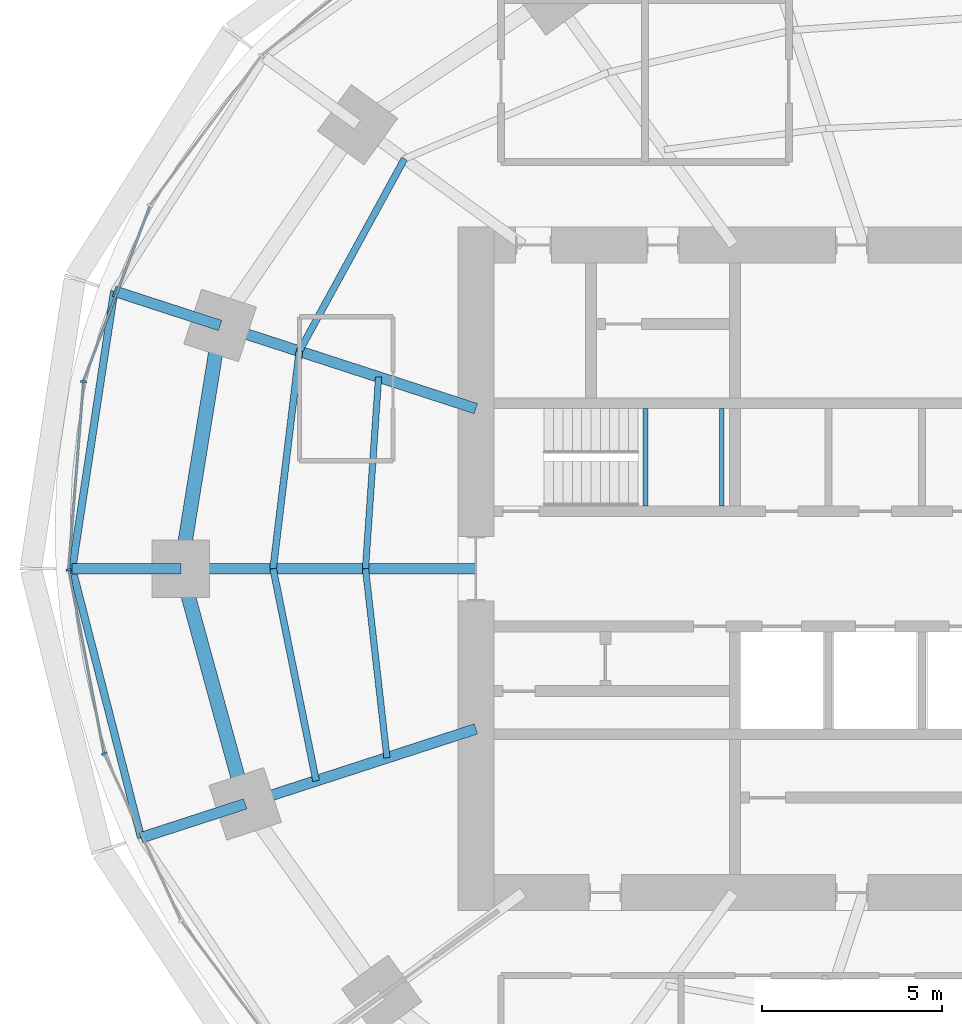
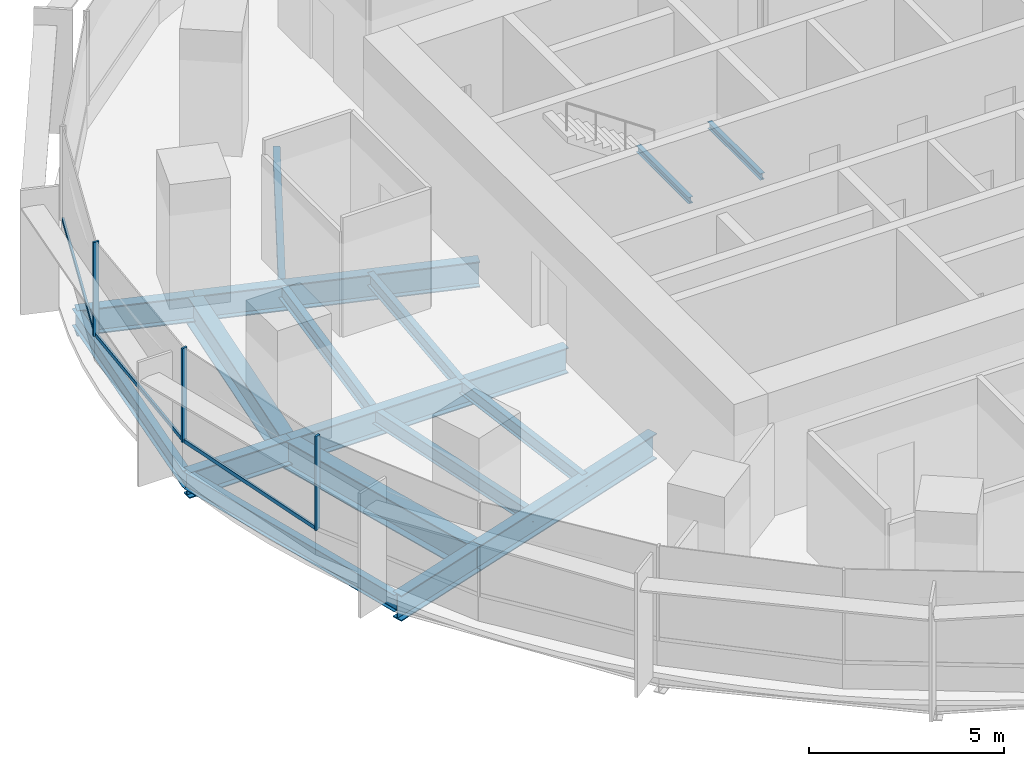
# One storey, part 4 of 14: 17 beams, 6 members, 2 elements without a shape of their own.
"""IFC4 building model written with IfcOpenShell, lengths in metres."""

from ifc_helpers import new_model, si_unit, direction, frame, origin, origin_2d, place, context, subcontext, project, spatial, rectangle, i_section, extrude, material, material_profile, profile_set, type_object, element, aggregate, save


model = new_model("IFC4")

# Units and contexts
model_context = context("Model", 3, precision=1e-05, world=origin(), true_north=direction((0.0, 1.0)))
body_context = subcontext(model_context, "Body", "Model", "MODEL_VIEW")
ifc_project = project(units=[si_unit("LENGTHUNIT", "METRE"), si_unit("AREAUNIT", "SQUARE_METRE"), si_unit("VOLUMEUNIT", "CUBIC_METRE"), si_unit("PLANEANGLEUNIT", "RADIAN"), si_unit("MASSUNIT", "GRAM", prefix="KILO")], contexts=[model_context])

# Site, building, storey
site_placement = place(None, origin())
site = spatial("IfcSite", under=ifc_project, at=site_placement, CompositionType="ELEMENT")
building_placement = place(site_placement, origin())
building = spatial("IfcBuilding", under=site, at=building_placement, Name="Marramba Exchange Tower", CompositionType="ELEMENT")
storey_placement = place(building_placement, frame((0.0, 0.0, 143.10009765625)))
storey = spatial("IfcBuildingStorey", under=building, at=storey_placement, Name="L34", CompositionType="ELEMENT", Elevation=143.10009765625)

# Beams
ifc_material_1 = material(Name="Steel AS/NZS 3679.2 grade 300", Category="steel")
ifc_material_profile_1 = material_profile(ifc_material_1, i_section(OverallWidth=0.300048828125, OverallDepth=0.800048828125, WebThickness=0.013916015625, FlangeThickness=0.031982421875, at=origin_2d()), Name="800WB192")
ifc_profile_set_1 = profile_set([ifc_material_profile_1], Name="Steel AS/NZS 3679.2 grade 300")
beam_type_1 = type_object("IfcBeamType", Name="Cantilever girder 800WB192", PredefinedType="BEAM", material=ifc_profile_set_1)
beam_1_placement = place(storey_placement, frame((-20.808349609375, 6.760986328125, -0.56005859375), z_axis=(-0.95104799017, 0.309043233858, 0.0), x_axis=(-0.309043233858, -0.95104799017, 0.0)))
element("IfcBeam", 1, at=beam_1_placement, inside=storey, type_object=beam_type_1, Name="Cantilever girder L34 TC10", PredefinedType="BEAM", context=body_context, shape_type="SweptSolid", body=[
    extrude(i_section(OverallWidth=0.300048828125, OverallDepth=0.800048828125, WebThickness=0.013916015625, FlangeThickness=0.031982421875, at=origin_2d()), origin(), (0.0, 0.0, 1.0), 3.0927734375),
])
beam_2_placement = place(storey_placement, frame((-21.89990234375, 0.0, -0.56005859375), z_axis=(-1.0, 0.0, 0.0), x_axis=(0.0, -1.0, 0.0)))
element("IfcBeam", 2, at=beam_2_placement, inside=storey, type_object=beam_type_1, Name="Cantilever girder L34 TC11", PredefinedType="BEAM", context=body_context, shape_type="SweptSolid", body=[
    extrude(i_section(OverallWidth=0.300048828125, OverallDepth=0.800048828125, WebThickness=0.013916015625, FlangeThickness=0.031982421875, at=origin_2d()), origin(), (0.0, 0.0, 1.0), 3.01806640625),
])
beam_3_placement = place(storey_placement, frame((-20.109375, -6.533935546875, -0.56005859375), z_axis=(-0.951070617775, -0.308973591113, 0.0), x_axis=(0.308973591113, -0.951070617775, 0.0)))
element("IfcBeam", 3, at=beam_3_placement, inside=storey, type_object=beam_type_1, Name="Cantilever girder L34 TC12", PredefinedType="BEAM", context=body_context, shape_type="SweptSolid", body=[
    extrude(i_section(OverallWidth=0.300048828125, OverallDepth=0.800048828125, WebThickness=0.013916015625, FlangeThickness=0.031982421875, at=origin_2d()), origin(), (0.0, 0.0, 1.0), 3.04296875),
])
ifc_material_2 = material(Name="Steel AS/NZS 3679.1 grade 300", Category="steel")
ifc_material_profile_2 = material_profile(ifc_material_2, i_section(OverallWidth=0.177978515625, OverallDepth=0.406005859375, WebThickness=0.0078125, FlangeThickness=0.0126953125, FilletRadius=0.011474609375, at=origin_2d()), Name="410UB59.7")
ifc_profile_set_2 = profile_set([ifc_material_profile_2], Name="Steel AS/NZS 3679.1 grade 300")
beam_type_2 = type_object("IfcBeamType", Name="Floor joist 410UB59.7", PredefinedType="JOIST", material=ifc_profile_set_2)
beam_4_placement = place(storey_placement, frame((-16.40283203125, 5.32958984375, -0.363037109375), z_axis=(-0.068096259546, -0.99767875563, 0.0), x_axis=(0.99767875563, -0.068096259546, 0.0)))
element("IfcBeam", 4, at=beam_4_placement, inside=storey, type_object=beam_type_2, Name="Joist L34 bay 10 row 1", PredefinedType="JOIST", context=body_context, shape_type="SweptSolid", body=[
    extrude(i_section(OverallWidth=0.177978515625, OverallDepth=0.406005859375, WebThickness=0.0078125, FlangeThickness=0.0126953125, FilletRadius=0.011474609375, at=origin_2d()), origin(), (0.0, 0.0, 1.0), 5.342041015625),
])
beam_5_placement = place(storey_placement, frame((-16.7666015625, 0.0, -0.363037109375), z_axis=(0.112888968594, -0.993607609054, 0.0), x_axis=(0.993607609054, 0.112888968594, 0.0)))
element("IfcBeam", 5, at=beam_5_placement, inside=storey, type_object=beam_type_2, Name="Joist L34 bay 11 row 1", PredefinedType="JOIST", context=body_context, shape_type="SweptSolid", body=[
    extrude(i_section(OverallWidth=0.177978515625, OverallDepth=0.406005859375, WebThickness=0.0078125, FlangeThickness=0.0126953125, FilletRadius=0.011474609375, at=origin_2d()), origin(), (0.0, 0.0, 1.0), 5.28759765625),
])
ifc_material_profile_3 = material_profile(ifc_material_2, i_section(OverallWidth=0.18994140625, OverallDepth=0.4541015625, WebThickness=0.008544921875, FlangeThickness=0.0126953125, FilletRadius=0.011474609375, at=origin_2d()), Name="460UB67.1")
ifc_profile_set_3 = profile_set([ifc_material_profile_3], Name="Steel AS/NZS 3679.1 grade 300")
beam_type_3 = type_object("IfcBeamType", Name="Floor joist 460UB67.1", PredefinedType="JOIST", material=ifc_profile_set_3)
beam_6_placement = place(storey_placement, frame((-15.682373046875, 11.393798828125, -0.38720703125), z_axis=(-0.479584443791, -0.877495732909, 0.0), x_axis=(0.877495732909, -0.479584443791, 0.0)))
element("IfcBeam", 6, at=beam_6_placement, inside=storey, type_object=beam_type_3, Name="Joist L34 bay 09 row 2", PredefinedType="JOIST", context=body_context, shape_type="SweptSolid", body=[
    extrude(i_section(OverallWidth=0.18994140625, OverallDepth=0.4541015625, WebThickness=0.008544921875, FlangeThickness=0.0126953125, FilletRadius=0.011474609375, at=origin_2d()), origin(), (0.0, 0.0, 1.0), 6.094970703125),
])
beam_7_placement = place(storey_placement, frame((-18.60546875, 6.04541015625, -0.38720703125), z_axis=(-0.119523078538, -0.992831422597, 0.0), x_axis=(0.992831422597, -0.119523078538, 0.0)))
element("IfcBeam", 7, at=beam_7_placement, inside=storey, type_object=beam_type_3, Name="Joist L34 bay 10 row 2", PredefinedType="JOIST", context=body_context, shape_type="SweptSolid", body=[
    extrude(i_section(OverallWidth=0.18994140625, OverallDepth=0.4541015625, WebThickness=0.008544921875, FlangeThickness=0.0126953125, FilletRadius=0.011474609375, at=origin_2d()), origin(), (0.0, 0.0, 1.0), 6.089111328125),
])
beam_8_placement = place(storey_placement, frame((-19.333251953125, 0.0, -0.38720703125), z_axis=(0.198489047047, -0.980103105904, 0.0), x_axis=(0.980103105904, 0.198489047047, 0.0)))
element("IfcBeam", 8, at=beam_8_placement, inside=storey, type_object=beam_type_3, Name="Joist L34 bay 11 row 2", PredefinedType="JOIST", context=body_context, shape_type="SweptSolid", body=[
    extrude(i_section(OverallWidth=0.18994140625, OverallDepth=0.4541015625, WebThickness=0.008544921875, FlangeThickness=0.0126953125, FilletRadius=0.011474609375, at=origin_2d()), origin(), (0.0, 0.0, 1.0), 6.013427734375),
])

# Curtain wall, member
ifc_material_3 = material(Name="Aluminium framing, bronze anodised", Category="aluminium")
curtain_wall_type = type_object("IfcCurtainWallType", Name="Office ribbon curtain wall", PredefinedType="USERDEFINED", material=ifc_material_3)
curtain_wall_1_placement = place(storey_placement, origin())
curtain_wall_1 = element("IfcCurtainWall", 9, at=curtain_wall_1_placement, inside=storey, type_object=curtain_wall_type, Name="Curtain wall CW4 L34 F11-F15", ObjectType="RIBBON CURTAIN WALL", PredefinedType="USERDEFINED")
ifc_material_4 = material(Name="Aluminium mullion, bronze anodised", Category="aluminium")
ifc_material_profile_4 = material_profile(ifc_material_4, rectangle(XDim=0.159912109375, YDim=0.06005859375, at=origin_2d()), Name="CW4 mullion 60x160")
ifc_profile_set_4 = profile_set([ifc_material_profile_4], Name="Aluminium mullion, bronze anodised")
member_type_1 = type_object("IfcMemberType", Name="Office ribbon curtain wall mullion", PredefinedType="MULLION", material=ifc_profile_set_4)
member_1_placement = place(storey_placement, frame((-24.603515625, 5.19921875, 0.7998046875), z_axis=(0.0, 0.0, 1.0), x_axis=(0.996838079455, -0.079459696383, 0.0)))
member_1 = element("IfcMember", 10, at=member_1_placement, type_object=member_type_1, Name="CW4 mullion 1", PredefinedType="MULLION", context=body_context, shape_type="SweptSolid", body=[
    extrude(rectangle(XDim=0.159912109375, YDim=0.06005859375, at=origin_2d()), origin(), (0.0, 0.0, 1.0), 2.940185546875),
])

# Curtain wall, members
curtain_wall_2_placement = place(storey_placement, origin())
curtain_wall_2 = element("IfcCurtainWall", 11, at=curtain_wall_2_placement, inside=storey, type_object=curtain_wall_type, Name="Curtain wall CW4 L34 F16-F20", ObjectType="RIBBON CURTAIN WALL", PredefinedType="USERDEFINED")
member_2_placement = place(storey_placement, frame((-25.012451171875, -0.029541015625, 0.7998046875), z_axis=(0.0, 0.0, 1.0), x_axis=(0.982125509078, 0.18822721487, 0.0)))
member_2 = element("IfcMember", 12, at=member_2_placement, type_object=member_type_1, Name="CW4 mullion 1", PredefinedType="MULLION", context=body_context, shape_type="SweptSolid", body=[
    extrude(rectangle(XDim=0.159912109375, YDim=0.06005859375, at=origin_2d()), origin(), (0.0, 0.0, 1.0), 2.940185546875),
])
member_3_placement = place(storey_placement, frame((-24.026123046875, -5.136962890625, 0.7998046875), z_axis=(0.0, 0.0, 1.0), x_axis=(0.909026713177, 0.416737848929, 0.0)))
member_3 = element("IfcMember", 13, at=member_3_placement, type_object=member_type_1, Name="CW4 mullion 1", PredefinedType="MULLION", context=body_context, shape_type="SweptSolid", body=[
    extrude(rectangle(XDim=0.159912109375, YDim=0.06005859375, at=origin_2d()), origin(), (0.0, 0.0, 1.0), 2.940185546875),
])

# Member
ifc_material_5 = material(Name="Aluminium transom, bronze anodised", Category="aluminium")
ifc_material_profile_5 = material_profile(ifc_material_5, rectangle(XDim=0.06005859375, YDim=0.1201171875, at=origin_2d()), Name="CW4 transom 60x120")
ifc_profile_set_5 = profile_set([ifc_material_profile_5], Name="Aluminium transom, bronze anodised")
member_type_2 = type_object("IfcMemberType", Name="Office ribbon curtain wall transom", PredefinedType="USERDEFINED", material=ifc_profile_set_5)
member_4_placement = place(storey_placement, frame((-22.763916015625, 10.069580078125, 0.829833984375), z_axis=(-0.354851822252, -0.934922555212, 0.0), x_axis=(0.934922555212, -0.354851822252, 0.0)))
member_4 = element("IfcMember", 14, at=member_4_placement, type_object=member_type_2, Name="CW4 sill transom", ObjectType="TRANSOM", PredefinedType="USERDEFINED", context=body_context, shape_type="SweptSolid", body=[
    extrude(rectangle(XDim=0.06005859375, YDim=0.1201171875, at=origin_2d()), origin(), (0.0, 0.0, 1.0), 5.17724609375),
])

member_5_placement = place(storey_placement, frame((-24.60595703125, 5.16943359375, 0.829833984375), z_axis=(-0.07946828762, -0.996837394595, 0.0), x_axis=(0.996837394595, -0.07946828762, 0.0)))
member_5 = element("IfcMember", 15, at=member_5_placement, type_object=member_type_2, Name="CW4 sill transom", ObjectType="TRANSOM", PredefinedType="USERDEFINED", context=body_context, shape_type="SweptSolid", body=[
    extrude(rectangle(XDim=0.06005859375, YDim=0.1201171875, at=origin_2d()), origin(), (0.0, 0.0, 1.0), 5.185791015625),
])

aggregate(curtain_wall_1, [member_4, member_1, member_5])

member_6_placement = place(storey_placement, frame((-25.006591796875, -0.058837890625, 0.829833984375), z_axis=(0.188185293992, -0.982133542409, 0.0), x_axis=(0.982133542409, 0.188185293992, 0.0)))
member_6 = element("IfcMember", 16, at=member_6_placement, type_object=member_type_2, Name="CW4 sill transom", ObjectType="TRANSOM", PredefinedType="USERDEFINED", context=body_context, shape_type="SweptSolid", body=[
    extrude(rectangle(XDim=0.06005859375, YDim=0.1201171875, at=origin_2d()), origin(), (0.0, 0.0, 1.0), 5.142578125),
])

aggregate(curtain_wall_2, [member_2, member_6, member_3])

# Beams
ifc_material_profile_6 = material_profile(ifc_material_1, i_section(OverallWidth=0.300048828125, OverallDepth=0.800048828125, WebThickness=0.013916015625, FlangeThickness=0.031982421875, at=origin_2d()), Name="800WB192")
ifc_profile_set_6 = profile_set([ifc_material_profile_6], Name="Steel AS/NZS 3679.2 grade 300")
beam_type_4 = type_object("IfcBeamType", Name="Radial girder 800WB192", PredefinedType="BEAM", material=ifc_profile_set_6)
beam_9_placement = place(storey_placement, frame((-13.699951171875, 4.451416015625, -0.56005859375), z_axis=(-0.951059990189, 0.309006302624, 0.0), x_axis=(-0.309006302624, -0.951059990189, 0.0)))
element("IfcBeam", 17, at=beam_9_placement, inside=storey, type_object=beam_type_4, Name="Radial girder L34 TC10", PredefinedType="BEAM", context=body_context, shape_type="SweptSolid", body=[
    extrude(i_section(OverallWidth=0.300048828125, OverallDepth=0.800048828125, WebThickness=0.013916015625, FlangeThickness=0.031982421875, at=origin_2d()), origin(), (0.0, 0.0, 1.0), 7.47412109375),
])
beam_10_placement = place(storey_placement, frame((-13.699951171875, 0.0, -0.56005859375), z_axis=(-1.0, 0.0, 0.0), x_axis=(0.0, -1.0, 0.0)))
element("IfcBeam", 18, at=beam_10_placement, inside=storey, type_object=beam_type_4, Name="Radial girder L34 TC11", PredefinedType="BEAM", context=body_context, shape_type="SweptSolid", body=[
    extrude(i_section(OverallWidth=0.300048828125, OverallDepth=0.800048828125, WebThickness=0.013916015625, FlangeThickness=0.031982421875, at=origin_2d()), origin(), (0.0, 0.0, 1.0), 8.199951171875),
])
beam_11_placement = place(storey_placement, frame((-13.699951171875, -4.451416015625, -0.56005859375), z_axis=(-0.951057759669, -0.309013167637, 0.0), x_axis=(0.309013167637, -0.951057759669, 0.0)))
element("IfcBeam", 19, at=beam_11_placement, inside=storey, type_object=beam_type_4, Name="Radial girder L34 TC12", PredefinedType="BEAM", context=body_context, shape_type="SweptSolid", body=[
    extrude(i_section(OverallWidth=0.300048828125, OverallDepth=0.800048828125, WebThickness=0.013916015625, FlangeThickness=0.031982421875, at=origin_2d()), origin(), (0.0, 0.0, 1.0), 6.7392578125),
])
ifc_material_profile_7 = material_profile(ifc_material_1, i_section(OverallWidth=0.39990234375, OverallDepth=0.89990234375, WebThickness=0.01611328125, FlangeThickness=0.031982421875, at=origin_2d()), Name="900WB282")
ifc_profile_set_7 = profile_set([ifc_material_profile_7], Name="Steel AS/NZS 3679.2 grade 300")
beam_type_5 = type_object("IfcBeamType", Name="Ring beam 900WB282", PredefinedType="SPANDREL", material=ifc_profile_set_7)
beam_12_placement = place(storey_placement, frame((-20.808349609375, 6.760986328125, -0.610107421875), z_axis=(-0.159384865399, -0.987216523708, 0.0), x_axis=(0.987216523708, -0.159384865399, 0.0)))
element("IfcBeam", 20, at=beam_12_placement, inside=storey, type_object=beam_type_5, Name="Ring beam L34 TC10-TC11", PredefinedType="SPANDREL", context=body_context, shape_type="SweptSolid", body=[
    extrude(i_section(OverallWidth=0.39990234375, OverallDepth=0.89990234375, WebThickness=0.01611328125, FlangeThickness=0.031982421875, at=origin_2d()), origin(), (0.0, 0.0, 1.0), 6.8486328125),
])
beam_13_placement = place(storey_placement, frame((-21.89990234375, 0.0, -0.610107421875), z_axis=(0.264291166956, -0.964442937176, 0.0), x_axis=(0.964442937176, 0.264291166956, 0.0)))
element("IfcBeam", 21, at=beam_13_placement, inside=storey, type_object=beam_type_5, Name="Ring beam L34 TC11-TC12", PredefinedType="SPANDREL", context=body_context, shape_type="SweptSolid", body=[
    extrude(i_section(OverallWidth=0.39990234375, OverallDepth=0.89990234375, WebThickness=0.01611328125, FlangeThickness=0.031982421875, at=origin_2d()), origin(), (0.0, 0.0, 1.0), 6.77490234375),
])
ifc_material_profile_8 = material_profile(ifc_material_2, i_section(OverallWidth=0.208984375, OverallDepth=0.528076171875, WebThickness=0.009521484375, FlangeThickness=0.01318359375, FilletRadius=0.013916015625, at=origin_2d()), Name="530UB82.0")
ifc_profile_set_8 = profile_set([ifc_material_profile_8], Name="Steel AS/NZS 3679.1 grade 300")
beam_type_6 = type_object("IfcBeamType", Name="Slab edge beam 530UB82.0", PredefinedType="SPANDREL", material=ifc_profile_set_8)
beam_14_placement = place(storey_placement, frame((-23.749755859375, 7.716796875, -0.424072265625), z_axis=(-0.149680281727, -0.988734450326, 0.0), x_axis=(0.988734450326, -0.149680281727, 0.0)))
element("IfcBeam", 22, at=beam_14_placement, inside=storey, type_object=beam_type_6, Name="Slab edge beam L34 TC10-TC11", PredefinedType="SPANDREL", context=body_context, shape_type="SweptSolid", body=[
    extrude(i_section(OverallWidth=0.208984375, OverallDepth=0.528076171875, WebThickness=0.009521484375, FlangeThickness=0.01318359375, FilletRadius=0.013916015625, at=origin_2d()), origin(), (0.0, 0.0, 1.0), 7.8046875),
])
beam_15_placement = place(storey_placement, frame((-24.91796875, 0.0, -0.424072265625), z_axis=(0.248145427917, -0.968722791413, 0.0), x_axis=(0.968722791413, 0.248145427917, 0.0)))
element("IfcBeam", 23, at=beam_15_placement, inside=storey, type_object=beam_type_6, Name="Slab edge beam L34 TC11-TC12", PredefinedType="SPANDREL", context=body_context, shape_type="SweptSolid", body=[
    extrude(i_section(OverallWidth=0.208984375, OverallDepth=0.528076171875, WebThickness=0.009521484375, FlangeThickness=0.01318359375, FilletRadius=0.013916015625, at=origin_2d()), origin(), (0.0, 0.0, 1.0), 7.71533203125),
])
ifc_material_profile_9 = material_profile(ifc_material_2, i_section(OverallWidth=0.133056640625, OverallDepth=0.202880859375, WebThickness=0.005859375, FlangeThickness=0.0078125, FilletRadius=0.0087890625, at=origin_2d()), Name="200UB25.4")
ifc_profile_set_9 = profile_set([ifc_material_profile_9], Name="Steel AS/NZS 3679.1 grade 300")
beam_type_7 = type_object("IfcBeamType", Name="Stair landing beam 200UB25.4", PredefinedType="BEAM", material=ifc_profile_set_9)
for number, where, z_axis, x_axis, name in (
    (24, (-8.9833984375, 1.75, 1.6484375), (0.0, 1.0, 0.0), (-1.0, 0.0, 0.0), "Stair landing beam SLB1 ST1 L34 1"),
    (25, (-6.866455078125, 1.75, 1.6484375), (0.0, 1.0, 0.0), (-1.0, 0.0, 0.0), "Stair landing beam SLB1 ST1 L34 2"),
):
    element("IfcBeam", number, at=place(storey_placement, frame(where, z_axis=z_axis, x_axis=x_axis)), inside=storey, type_object=beam_type_7, Name=name, PredefinedType="BEAM", context=body_context, shape_type="SweptSolid", body=[
        extrude(i_section(OverallWidth=0.133056640625, OverallDepth=0.202880859375, WebThickness=0.005859375, FlangeThickness=0.0078125, FilletRadius=0.0087890625, at=origin_2d()), origin(), (0.0, 0.0, 1.0), 2.699951171875),
    ])

save(model, "model.ifc")
